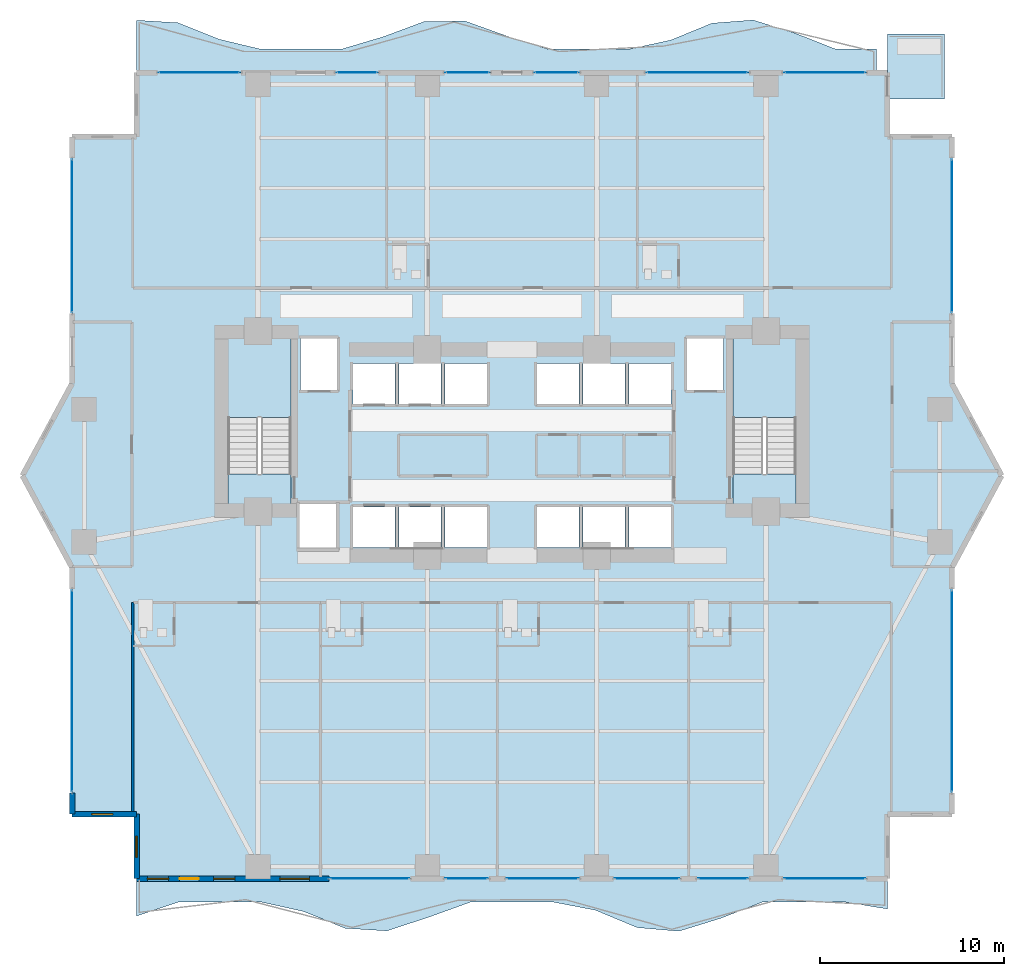
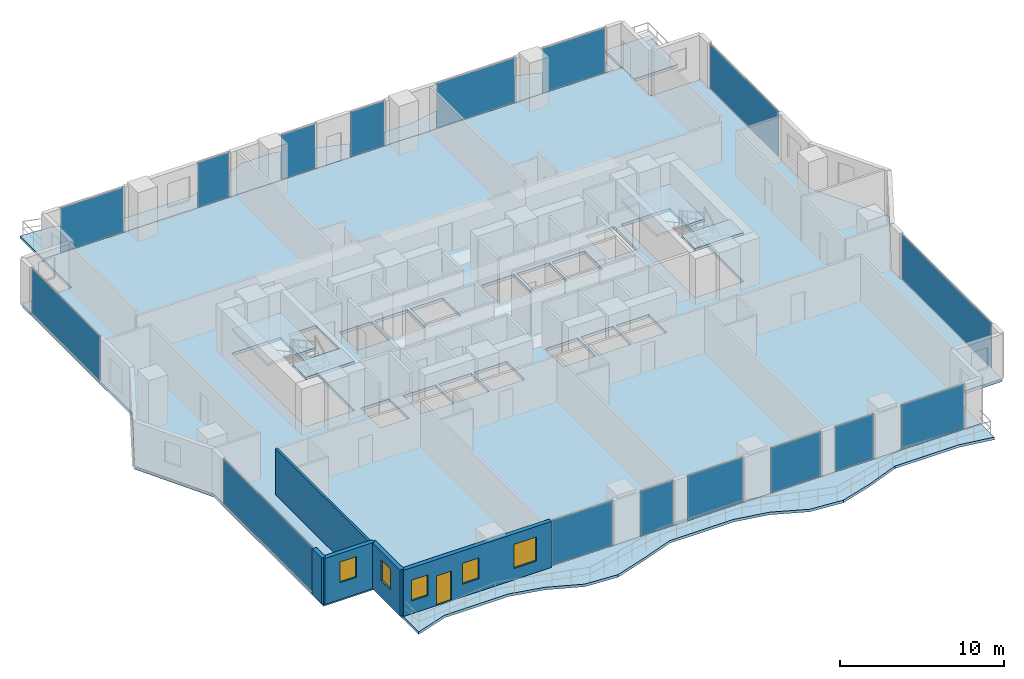
# One storey, part 20 of 28: 16 plates, 8 slabs, 5 walls, 5 windows, 1 door, 6 openings, 18 elements without a shape of their own.
"""IFC4 building model written with IfcOpenShell, lengths in metres."""

from ifc_helpers import new_model, si_unit, direction, frame, frame_2d, origin, origin_2d, place, context, subcontext, project, spatial, polyline, rectangle, outline, extrude, material, layer, layer_set, type_object, element, fill, aggregate, save


model = new_model("IFC4")

# Units and contexts
model_context = context("Model", 3, precision=1e-05, world=origin(), true_north=direction((0.0, 1.0)))
body_context = subcontext(model_context, "Body", "Model", "MODEL_VIEW")
ifc_project = project(units=[si_unit("LENGTHUNIT", "METRE"), si_unit("AREAUNIT", "SQUARE_METRE"), si_unit("VOLUMEUNIT", "CUBIC_METRE"), si_unit("PLANEANGLEUNIT", "RADIAN"), si_unit("MASSUNIT", "GRAM", prefix="KILO")], contexts=[model_context])

# Site, building, storey
site_placement = place(None, origin())
site = spatial("IfcSite", under=ifc_project, at=site_placement, CompositionType="ELEMENT")
building_placement = place(site_placement, origin())
building = spatial("IfcBuilding", under=site, at=building_placement, Name="Zuhayl Quay Hotel", CompositionType="ELEMENT")
storey_placement = place(building_placement, frame((0.0, 0.0, 143.10009765625)))
storey = spatial("IfcBuildingStorey", under=building, at=storey_placement, Name="L36", CompositionType="ELEMENT", Elevation=143.10009765625)

# Curtain wall, plate
ifc_material_1 = material(Name="Anodised Aluminium 6063-T6", Category="aluminium")
ifc_layer_1 = layer(ifc_material_1, 0.179931640625, Name="Anodised Aluminium 6063-T6", Category="aluminium")
ifc_layer_set_1 = layer_set([ifc_layer_1], Name="Anodised Aluminium 6063-T6")
curtain_wall_type = type_object("IfcCurtainWallType", Name="CW_SYS_Z2", PredefinedType="USERDEFINED", material=ifc_layer_set_1)
curtain_wall_1_placement = place(storey_placement, origin())
curtain_wall_1 = element("IfcCurtainWall", 1, at=curtain_wall_1_placement, inside=storey, type_object=curtain_wall_type, Name="L36 Curtain Wall ENV_L36_E02_CW1", ObjectType="UNITISED CURTAIN WALL", PredefinedType="USERDEFINED")
ifc_material_2 = material(Name="Dark Ceramic-Fritted Solar Glass", Category="glass")
ifc_layer_2 = layer(ifc_material_2, 0.035888671875, Name="Dark Ceramic-Fritted Solar Glass", Category="glass")
ifc_layer_set_2 = layer_set([ifc_layer_2], Name="Dark Ceramic-Fritted Solar Glass")
plate_type = type_object("IfcPlateType", Name="PN_DARK_FRIT_Z1", PredefinedType="CURTAIN_PANEL", material=ifc_layer_set_2)
plate_1_placement = place(storey_placement, frame((-23.89990234375, -5.199951171875, 0.059814453125), z_axis=(0.0, 0.0, 1.0), x_axis=(0.0, 1.0, 0.0)))
plate_1 = element("IfcPlate", 2, at=plate_1_placement, type_object=plate_type, Name="CW-Z2 panel 1.1", PredefinedType="CURTAIN_PANEL", context=body_context, shape_type="SweptSolid", body=[
    extrude(rectangle(XDim=10.969970703125, YDim=0.035888671875, at=origin_2d()), origin(), (0.0, 0.0, 1.0), 3.31005859375),
])
aggregate(curtain_wall_1, [plate_1])

curtain_wall_2_placement = place(storey_placement, origin())
curtain_wall_2 = element("IfcCurtainWall", 3, at=curtain_wall_2_placement, inside=storey, type_object=curtain_wall_type, Name="L36 Curtain Wall ENV_L36_E05_CW1", ObjectType="UNITISED CURTAIN WALL", PredefinedType="USERDEFINED")
plate_2_placement = place(storey_placement, frame((-23.89990234375, 19.52490234375, 0.059814453125), z_axis=(0.0, 0.0, 1.0), x_axis=(0.0, 1.0, 0.0)))
plate_2 = element("IfcPlate", 4, at=plate_2_placement, type_object=plate_type, Name="CW-Z2 panel 1.1", PredefinedType="CURTAIN_PANEL", context=body_context, shape_type="SweptSolid", body=[
    extrude(rectangle(XDim=8.320068359375, YDim=0.035888671875, at=origin_2d()), origin(), (0.0, 0.0, 1.0), 3.31005859375),
])
aggregate(curtain_wall_2, [plate_2])

curtain_wall_3_placement = place(storey_placement, origin())
curtain_wall_3 = element("IfcCurtainWall", 5, at=curtain_wall_3_placement, inside=storey, type_object=curtain_wall_type, Name="L36 Curtain Wall ENV_L36_N_CW1", ObjectType="UNITISED CURTAIN WALL", PredefinedType="USERDEFINED")
plate_3_placement = place(storey_placement, frame((-16.985107421875, 28.39990234375, 0.059814453125), z_axis=(0.0, 0.0, 1.0), x_axis=(1.0, 0.0, 0.0)))
plate_3 = element("IfcPlate", 6, at=plate_3_placement, type_object=plate_type, Name="CW-Z2 panel 1.1", PredefinedType="CURTAIN_PANEL", context=body_context, shape_type="SweptSolid", body=[
    extrude(rectangle(XDim=4.39990234375, YDim=0.035888671875, at=origin_2d()), origin(), (0.0, 0.0, 1.0), 3.31005859375),
])
aggregate(curtain_wall_3, [plate_3])

curtain_wall_4_placement = place(storey_placement, origin())
curtain_wall_4 = element("IfcCurtainWall", 7, at=curtain_wall_4_placement, inside=storey, type_object=curtain_wall_type, Name="L36 Curtain Wall ENV_L36_N_CW2", ObjectType="UNITISED CURTAIN WALL", PredefinedType="USERDEFINED")
plate_4_placement = place(storey_placement, frame((-8.419921875, 28.39990234375, 0.059814453125), z_axis=(0.0, 0.0, 1.0), x_axis=(1.0, 0.0, 0.0)))
plate_4 = element("IfcPlate", 8, at=plate_4_placement, type_object=plate_type, Name="CW-Z2 panel 1.1", PredefinedType="CURTAIN_PANEL", context=body_context, shape_type="SweptSolid", body=[
    extrude(rectangle(XDim=2.2099609375, YDim=0.035888671875, at=origin_2d()), origin(), (0.0, 0.0, 1.0), 3.31005859375),
])
aggregate(curtain_wall_4, [plate_4])

curtain_wall_5_placement = place(storey_placement, origin())
curtain_wall_5 = element("IfcCurtainWall", 9, at=curtain_wall_5_placement, inside=storey, type_object=curtain_wall_type, Name="L36 Curtain Wall ENV_L36_N_CW3", ObjectType="UNITISED CURTAIN WALL", PredefinedType="USERDEFINED")
plate_5_placement = place(storey_placement, frame((-2.427490234375, 28.39990234375, 0.059814453125), z_axis=(0.0, 0.0, 1.0), x_axis=(1.0, 0.0, 0.0)))
plate_5 = element("IfcPlate", 10, at=plate_5_placement, type_object=plate_type, Name="CW-Z2 panel 1.1", PredefinedType="CURTAIN_PANEL", context=body_context, shape_type="SweptSolid", body=[
    extrude(rectangle(XDim=2.375, YDim=0.035888671875, at=origin_2d()), origin(), (0.0, 0.0, 1.0), 3.31005859375),
])
aggregate(curtain_wall_5, [plate_5])

curtain_wall_6_placement = place(storey_placement, origin())
curtain_wall_6 = element("IfcCurtainWall", 11, at=curtain_wall_6_placement, inside=storey, type_object=curtain_wall_type, Name="L36 Curtain Wall ENV_L36_N_CW4", ObjectType="UNITISED CURTAIN WALL", PredefinedType="USERDEFINED")
plate_6_placement = place(storey_placement, frame((2.427490234375, 28.39990234375, 0.059814453125), z_axis=(0.0, 0.0, 1.0), x_axis=(1.0, 0.0, 0.0)))
plate_6 = element("IfcPlate", 12, at=plate_6_placement, type_object=plate_type, Name="CW-Z2 panel 1.1", PredefinedType="CURTAIN_PANEL", context=body_context, shape_type="SweptSolid", body=[
    extrude(rectangle(XDim=2.375, YDim=0.035888671875, at=origin_2d()), origin(), (0.0, 0.0, 1.0), 3.31005859375),
])
aggregate(curtain_wall_6, [plate_6])

curtain_wall_7_placement = place(storey_placement, origin())
curtain_wall_7 = element("IfcCurtainWall", 13, at=curtain_wall_7_placement, inside=storey, type_object=curtain_wall_type, Name="L36 Curtain Wall ENV_L36_N_CW5", ObjectType="UNITISED CURTAIN WALL", PredefinedType="USERDEFINED")
plate_7_placement = place(storey_placement, frame((10.06494140625, 28.39990234375, 0.059814453125), z_axis=(0.0, 0.0, 1.0), x_axis=(1.0, 0.0, 0.0)))
plate_7 = element("IfcPlate", 14, at=plate_7_placement, type_object=plate_type, Name="CW-Z2 panel 1.1", PredefinedType="CURTAIN_PANEL", context=body_context, shape_type="SweptSolid", body=[
    extrude(rectangle(XDim=5.5, YDim=0.035888671875, at=origin_2d()), origin(), (0.0, 0.0, 1.0), 3.31005859375),
])
aggregate(curtain_wall_7, [plate_7])

curtain_wall_8_placement = place(storey_placement, origin())
curtain_wall_8 = element("IfcCurtainWall", 15, at=curtain_wall_8_placement, inside=storey, type_object=curtain_wall_type, Name="L36 Curtain Wall ENV_L36_N_CW6", ObjectType="UNITISED CURTAIN WALL", PredefinedType="USERDEFINED")
plate_8_placement = place(storey_placement, frame((16.985107421875, 28.39990234375, 0.059814453125), z_axis=(0.0, 0.0, 1.0), x_axis=(1.0, 0.0, 0.0)))
plate_8 = element("IfcPlate", 16, at=plate_8_placement, type_object=plate_type, Name="CW-Z2 panel 1.1", PredefinedType="CURTAIN_PANEL", context=body_context, shape_type="SweptSolid", body=[
    extrude(rectangle(XDim=4.39990234375, YDim=0.035888671875, at=origin_2d()), origin(), (0.0, 0.0, 1.0), 3.31005859375),
])
aggregate(curtain_wall_8, [plate_8])

curtain_wall_9_placement = place(storey_placement, origin())
curtain_wall_9 = element("IfcCurtainWall", 17, at=curtain_wall_9_placement, inside=storey, type_object=curtain_wall_type, Name="L36 Curtain Wall ENV_L36_E11_CW1", ObjectType="UNITISED CURTAIN WALL", PredefinedType="USERDEFINED")
plate_9_placement = place(storey_placement, frame((23.89990234375, 19.52490234375, 0.059814453125), z_axis=(0.0, 0.0, 1.0), x_axis=(0.0, -1.0, 0.0)))
plate_9 = element("IfcPlate", 18, at=plate_9_placement, type_object=plate_type, Name="CW-Z2 panel 1.1", PredefinedType="CURTAIN_PANEL", context=body_context, shape_type="SweptSolid", body=[
    extrude(rectangle(XDim=8.320068359375, YDim=0.035888671875, at=origin_2d()), origin(), (0.0, 0.0, 1.0), 3.31005859375),
])
aggregate(curtain_wall_9, [plate_9])

curtain_wall_10_placement = place(storey_placement, origin())
curtain_wall_10 = element("IfcCurtainWall", 19, at=curtain_wall_10_placement, inside=storey, type_object=curtain_wall_type, Name="L36 Curtain Wall ENV_L36_E14_CW1", ObjectType="UNITISED CURTAIN WALL", PredefinedType="USERDEFINED")
plate_10_placement = place(storey_placement, frame((23.89990234375, -5.199951171875, 0.059814453125), z_axis=(0.0, 0.0, 1.0), x_axis=(0.0, -1.0, 0.0)))
plate_10 = element("IfcPlate", 20, at=plate_10_placement, type_object=plate_type, Name="CW-Z2 panel 1.1", PredefinedType="CURTAIN_PANEL", context=body_context, shape_type="SweptSolid", body=[
    extrude(rectangle(XDim=10.969970703125, YDim=0.035888671875, at=origin_2d()), origin(), (0.0, 0.0, 1.0), 3.31005859375),
])
aggregate(curtain_wall_10, [plate_10])

curtain_wall_11_placement = place(storey_placement, origin())
curtain_wall_11 = element("IfcCurtainWall", 21, at=curtain_wall_11_placement, inside=storey, type_object=curtain_wall_type, Name="L36 Curtain Wall ENV_L36_S_CW1", ObjectType="UNITISED CURTAIN WALL", PredefinedType="USERDEFINED")
plate_11_placement = place(storey_placement, frame((16.985107421875, -15.39990234375, 0.059814453125), z_axis=(0.0, 0.0, 1.0), x_axis=(-1.0, 0.0, 0.0)))
plate_11 = element("IfcPlate", 22, at=plate_11_placement, type_object=plate_type, Name="CW-Z2 panel 1.1", PredefinedType="CURTAIN_PANEL", context=body_context, shape_type="SweptSolid", body=[
    extrude(rectangle(XDim=4.39990234375, YDim=0.035888671875, at=origin_2d()), origin(), (0.0, 0.0, 1.0), 3.31005859375),
])
aggregate(curtain_wall_11, [plate_11])

curtain_wall_12_placement = place(storey_placement, origin())
curtain_wall_12 = element("IfcCurtainWall", 23, at=curtain_wall_12_placement, inside=storey, type_object=curtain_wall_type, Name="L36 Curtain Wall ENV_L36_S_CW2", ObjectType="UNITISED CURTAIN WALL", PredefinedType="USERDEFINED")
plate_12_placement = place(storey_placement, frame((11.465087890625, -15.39990234375, 0.059814453125), z_axis=(0.0, 0.0, 1.0), x_axis=(-1.0, 0.0, 0.0)))
plate_12 = element("IfcPlate", 24, at=plate_12_placement, type_object=plate_type, Name="CW-Z2 panel 1.1", PredefinedType="CURTAIN_PANEL", context=body_context, shape_type="SweptSolid", body=[
    extrude(rectangle(XDim=2.699951171875, YDim=0.035888671875, at=origin_2d()), origin(), (0.0, 0.0, 1.0), 3.31005859375),
])
aggregate(curtain_wall_12, [plate_12])

curtain_wall_13_placement = place(storey_placement, origin())
curtain_wall_13 = element("IfcCurtainWall", 25, at=curtain_wall_13_placement, inside=storey, type_object=curtain_wall_type, Name="L36 Curtain Wall ENV_L36_S_CW3", ObjectType="UNITISED CURTAIN WALL", PredefinedType="USERDEFINED")
plate_13_placement = place(storey_placement, frame((7.3349609375, -15.39990234375, 0.059814453125), z_axis=(0.0, 0.0, 1.0), x_axis=(-1.0, 0.0, 0.0)))
plate_13 = element("IfcPlate", 26, at=plate_13_placement, type_object=plate_type, Name="CW-Z2 panel 1.1", PredefinedType="CURTAIN_PANEL", context=body_context, shape_type="SweptSolid", body=[
    extrude(rectangle(XDim=3.5, YDim=0.035888671875, at=origin_2d()), origin(), (0.0, 0.0, 1.0), 3.31005859375),
])
aggregate(curtain_wall_13, [plate_13])

curtain_wall_14_placement = place(storey_placement, origin())
curtain_wall_14 = element("IfcCurtainWall", 27, at=curtain_wall_14_placement, inside=storey, type_object=curtain_wall_type, Name="L36 Curtain Wall ENV_L36_S_CW4", ObjectType="UNITISED CURTAIN WALL", PredefinedType="USERDEFINED")
plate_14_placement = place(storey_placement, frame((1.6650390625, -15.39990234375, 0.059814453125), z_axis=(0.0, 0.0, 1.0), x_axis=(-1.0, 0.0, 0.0)))
plate_14 = element("IfcPlate", 28, at=plate_14_placement, type_object=plate_type, Name="CW-Z2 panel 1.1", PredefinedType="CURTAIN_PANEL", context=body_context, shape_type="SweptSolid", body=[
    extrude(rectangle(XDim=3.89990234375, YDim=0.035888671875, at=origin_2d()), origin(), (0.0, 0.0, 1.0), 3.31005859375),
])
aggregate(curtain_wall_14, [plate_14])

curtain_wall_15_placement = place(storey_placement, origin())
curtain_wall_15 = element("IfcCurtainWall", 29, at=curtain_wall_15_placement, inside=storey, type_object=curtain_wall_type, Name="L36 Curtain Wall ENV_L36_S_CW5", ObjectType="UNITISED CURTAIN WALL", PredefinedType="USERDEFINED")
plate_15_placement = place(storey_placement, frame((-2.465087890625, -15.39990234375, 0.059814453125), z_axis=(0.0, 0.0, 1.0), x_axis=(-1.0, 0.0, 0.0)))
plate_15 = element("IfcPlate", 30, at=plate_15_placement, type_object=plate_type, Name="CW-Z2 panel 1.1", PredefinedType="CURTAIN_PANEL", context=body_context, shape_type="SweptSolid", body=[
    extrude(rectangle(XDim=2.300048828125, YDim=0.035888671875, at=origin_2d()), origin(), (0.0, 0.0, 1.0), 3.31005859375),
])
aggregate(curtain_wall_15, [plate_15])

curtain_wall_16_placement = place(storey_placement, origin())
curtain_wall_16 = element("IfcCurtainWall", 31, at=curtain_wall_16_placement, inside=storey, type_object=curtain_wall_type, Name="L36 Curtain Wall ENV_L36_S_CW6", ObjectType="UNITISED CURTAIN WALL", PredefinedType="USERDEFINED")
plate_16_placement = place(storey_placement, frame((-7.735107421875, -15.39990234375, 0.059814453125), z_axis=(0.0, 0.0, 1.0), x_axis=(-1.0, 0.0, 0.0)))
plate_16 = element("IfcPlate", 32, at=plate_16_placement, type_object=plate_type, Name="CW-Z2 panel 1.1", PredefinedType="CURTAIN_PANEL", context=body_context, shape_type="SweptSolid", body=[
    extrude(rectangle(XDim=4.300048828125, YDim=0.035888671875, at=origin_2d()), origin(), (0.0, 0.0, 1.0), 3.31005859375),
])
aggregate(curtain_wall_16, [plate_16])

# Slabs
ifc_material_3 = material(Name="Concrete C45/55", Category="concrete")
ifc_layer_3 = layer(ifc_material_3, 0.195068359375, Name="Concrete C45/55", Category="concrete")
ifc_layer_set_3 = layer_set([ifc_layer_3], Name="Concrete C45/55")
slab_type_1 = type_object("IfcSlabType", Name="SL_BALCONY_195", PredefinedType="FLOOR", material=ifc_layer_set_3)
slab_1_placement = place(storey_placement, frame((0.0, 0.0, -0.195068359375)))
element("IfcSlab", 33, at=slab_1_placement, inside=storey, type_object=slab_type_1, Name="L36 Exterior Rippling Balcony Slab North", PredefinedType="FLOOR", context=body_context, shape_type="SweptSolid", body=[
    extrude(outline(polyline([(-20.39990234375, 28.39990234375), (19.800048828125, 28.39990234375), (19.800048828125, 29.679931640625), (17.566650390625, 29.679931640625), (15.333251953125, 30.558349609375), (13.10009765625, 31.253173828125), (10.86669921875, 31.080078125), (8.63330078125, 30.164306640625), (6.39990234375, 29.679931640625), (4.166748046875, 29.679931640625), (1.933349609375, 29.679931640625), (-0.300048828125, 30.389404296875), (-2.533203125, 31.19189453125), (-4.7666015625, 31.171142578125), (-7.0, 30.341796875), (-9.2333984375, 29.679931640625), (-11.466796875, 29.679931640625), (-13.699951171875, 29.679931640625), (-15.933349609375, 30.213134765625), (-18.166748046875, 31.107177734375), (-20.39990234375, 31.23876953125), (-20.39990234375, 28.39990234375)])), origin(), (0.0, 0.0, 1.0), 0.195068359375),
])
slab_2_placement = place(storey_placement, frame((0.0, 0.0, -0.195068359375)))
element("IfcSlab", 34, at=slab_2_placement, inside=storey, type_object=slab_type_1, Name="L36 Exterior Rippling Balcony Slab South", PredefinedType="FLOOR", context=body_context, shape_type="SweptSolid", body=[
    extrude(outline(polyline([(-20.39990234375, -17.436279296875), (-18.13330078125, -16.679931640625), (-15.86669921875, -16.679931640625), (-13.60009765625, -16.679931640625), (-11.333251953125, -17.1806640625), (-9.066650390625, -18.098388671875), (-6.800048828125, -18.23876953125), (-4.533203125, -17.498046875), (-2.2666015625, -16.679931640625), (0.0, -16.679931640625), (2.2666015625, -16.679931640625), (4.533203125, -17.115478515625), (6.800048828125, -18.061279296875), (9.066650390625, -18.25732421875), (11.333251953125, -17.558349609375), (13.60009765625, -16.679931640625), (15.86669921875, -16.679931640625), (18.13330078125, -16.679931640625), (20.39990234375, -17.050048828125), (20.39990234375, -15.39990234375), (-20.39990234375, -15.39990234375), (-20.39990234375, -17.436279296875)])), origin(), (0.0, 0.0, 1.0), 0.195068359375),
])
ifc_layer_4 = layer(ifc_material_3, 0.219970703125, Name="Concrete C45/55", Category="concrete")
ifc_layer_set_4 = layer_set([ifc_layer_4], Name="Concrete C45/55")
slab_type_2 = type_object("IfcSlabType", Name="SL_FLOOR_220", PredefinedType="FLOOR", material=ifc_layer_set_4)
slab_3_placement = place(storey_placement, frame((0.0, 0.0, -0.22021484375)))
element("IfcSlab", 35, at=slab_3_placement, inside=storey, type_object=slab_type_2, Name="L36 Structural Floor Slab", PredefinedType="FLOOR", context=body_context, shape_type="SweptSolid", body=[
    extrude(outline(polyline([(-20.39990234375, -15.39990234375), (20.39990234375, -15.39990234375), (20.39990234375, -11.89990234375), (23.89990234375, -11.89990234375), (23.89990234375, 1.5), (26.60009765625, 6.5), (23.89990234375, 11.5), (23.89990234375, 24.89990234375), (20.39990234375, 24.89990234375), (20.39990234375, 28.39990234375), (-20.39990234375, 28.39990234375), (-20.39990234375, 24.89990234375), (-23.89990234375, 24.89990234375), (-23.89990234375, 11.5), (-26.60009765625, 6.5), (-23.89990234375, 1.5), (-23.89990234375, -11.89990234375), (-20.39990234375, -11.89990234375), (-20.39990234375, -15.39990234375)]), holes=[polyline([(-12.0, 4.949951171875), (-12.0, 13.949951171875), (-15.429931640625, 13.949951171875), (-15.429931640625, 4.949951171875), (-12.0, 4.949951171875)]), polyline([(15.429931640625, 4.949951171875), (15.429931640625, 13.949951171875), (12.0, 13.949951171875), (12.0, 4.949951171875), (15.429931640625, 4.949951171875)]), polyline([(-11.5, 11.14990234375), (-9.5, 11.14990234375), (-9.5, 13.949951171875), (-11.5, 13.949951171875), (-11.5, 11.14990234375)]), polyline([(9.5, 11.14990234375), (11.5, 11.14990234375), (11.5, 13.949951171875), (9.5, 13.949951171875), (9.5, 11.14990234375)]), polyline([(-8.64990234375, 2.60009765625), (-6.35009765625, 2.60009765625), (-6.35009765625, 4.800048828125), (-8.64990234375, 4.800048828125), (-8.64990234375, 2.60009765625)]), polyline([(-6.14990234375, 2.60009765625), (-3.85009765625, 2.60009765625), (-3.85009765625, 4.800048828125), (-6.14990234375, 4.800048828125), (-6.14990234375, 2.60009765625)]), polyline([(-8.64990234375, 10.39990234375), (-6.35009765625, 10.39990234375), (-6.35009765625, 12.60009765625), (-8.64990234375, 12.60009765625), (-8.64990234375, 10.39990234375)]), polyline([(-6.14990234375, 10.39990234375), (-3.85009765625, 10.39990234375), (-3.85009765625, 12.60009765625), (-6.14990234375, 12.60009765625), (-6.14990234375, 10.39990234375)]), polyline([(-3.64990234375, 2.60009765625), (-1.35009765625, 2.60009765625), (-1.35009765625, 4.800048828125), (-3.64990234375, 4.800048828125), (-3.64990234375, 2.60009765625)]), polyline([(1.35009765625, 2.60009765625), (3.64990234375, 2.60009765625), (3.64990234375, 4.800048828125), (1.35009765625, 4.800048828125), (1.35009765625, 2.60009765625)]), polyline([(-3.64990234375, 10.39990234375), (-1.35009765625, 10.39990234375), (-1.35009765625, 12.60009765625), (-3.64990234375, 12.60009765625), (-3.64990234375, 10.39990234375)]), polyline([(1.35009765625, 10.39990234375), (3.64990234375, 10.39990234375), (3.64990234375, 12.60009765625), (1.35009765625, 12.60009765625), (1.35009765625, 10.39990234375)]), polyline([(3.85009765625, 2.60009765625), (6.14990234375, 2.60009765625), (6.14990234375, 4.800048828125), (3.85009765625, 4.800048828125), (3.85009765625, 2.60009765625)]), polyline([(6.35009765625, 2.60009765625), (8.64990234375, 2.60009765625), (8.64990234375, 4.800048828125), (6.35009765625, 4.800048828125), (6.35009765625, 2.60009765625)]), polyline([(3.85009765625, 10.39990234375), (6.14990234375, 10.39990234375), (6.14990234375, 12.60009765625), (3.85009765625, 12.60009765625), (3.85009765625, 10.39990234375)]), polyline([(6.35009765625, 10.39990234375), (8.64990234375, 10.39990234375), (8.64990234375, 12.60009765625), (6.35009765625, 12.60009765625), (6.35009765625, 10.39990234375)]), polyline([(-11.550048828125, 2.550048828125), (-9.550048828125, 2.550048828125), (-9.550048828125, 4.949951171875), (-11.550048828125, 4.949951171875), (-11.550048828125, 2.550048828125)])]), origin(), (0.0, 0.0, 1.0), 0.22021484375),
])

# Stair, slabs
stair_type = type_object("IfcStairType", Name="ST_DOGLEG_TOWER", PredefinedType="HALF_TURN_STAIR", material=ifc_material_3)
stair_1_placement = place(storey_placement, origin())
stair_1 = element("IfcStair", 36, at=stair_1_placement, inside=storey, type_object=stair_type, Name="L36 Smokeproof Exit Stair ST1", PredefinedType="HALF_TURN_STAIR")
ifc_layer_5 = layer(ifc_material_3, 0.199951171875, Name="Concrete C45/55", Category="concrete")
ifc_layer_set_5 = layer_set([ifc_layer_5], Name="Concrete C45/55")
slab_type_3 = type_object("IfcSlabType", Name="SL_STAIR_LANDING_200", PredefinedType="LANDING", material=ifc_layer_set_5)
slab_4_placement = place(storey_placement, frame((0.0, 0.0, 1.625)))
slab_4 = element("IfcSlab", 37, at=slab_4_placement, type_object=slab_type_3, Name="ST1 landing 1", PredefinedType="LANDING", context=body_context, shape_type="SweptSolid", body=[
    extrude(outline(polyline([(-12.0, 9.64990234375), (-12.0, 13.949951171875), (-15.429931640625, 13.949951171875), (-15.429931640625, 9.64990234375), (-12.0, 9.64990234375)])), origin(), (0.0, 0.0, 1.0), 0.199951171875),
])
slab_5_placement = place(storey_placement, frame((0.0, 0.0, 3.449951171875)))
slab_5 = element("IfcSlab", 38, at=slab_5_placement, type_object=slab_type_3, Name="ST1 landing 2", PredefinedType="LANDING", context=body_context, shape_type="SweptSolid", body=[
    extrude(outline(polyline([(-12.0, 4.949951171875), (-12.0, 6.590087890625), (-15.429931640625, 6.590087890625), (-15.429931640625, 4.949951171875), (-12.0, 4.949951171875)])), origin(), (0.0, 0.0, 1.0), 0.199951171875),
])
aggregate(stair_1, [slab_4, slab_5])

stair_2_placement = place(storey_placement, origin())
stair_2 = element("IfcStair", 39, at=stair_2_placement, inside=storey, type_object=stair_type, Name="L36 Smokeproof Exit Stair ST2", PredefinedType="HALF_TURN_STAIR")
slab_6_placement = place(storey_placement, frame((0.0, 0.0, 1.625)))
slab_6 = element("IfcSlab", 40, at=slab_6_placement, type_object=slab_type_3, Name="ST2 landing 1", PredefinedType="LANDING", context=body_context, shape_type="SweptSolid", body=[
    extrude(outline(polyline([(15.429931640625, 9.64990234375), (15.429931640625, 13.949951171875), (12.0, 13.949951171875), (12.0, 9.64990234375), (15.429931640625, 9.64990234375)])), origin(), (0.0, 0.0, 1.0), 0.199951171875),
])
slab_7_placement = place(storey_placement, frame((0.0, 0.0, 3.449951171875)))
slab_7 = element("IfcSlab", 41, at=slab_7_placement, type_object=slab_type_3, Name="ST2 landing 2", PredefinedType="LANDING", context=body_context, shape_type="SweptSolid", body=[
    extrude(outline(polyline([(15.429931640625, 4.949951171875), (15.429931640625, 6.590087890625), (12.0, 6.590087890625), (12.0, 4.949951171875), (15.429931640625, 4.949951171875)])), origin(), (0.0, 0.0, 1.0), 0.199951171875),
])
aggregate(stair_2, [slab_6, slab_7])

# Slab
ifc_layer_6 = layer(ifc_material_3, 0.219970703125, Name="Concrete C45/55", Category="concrete")
ifc_layer_set_6 = layer_set([ifc_layer_6], Name="Concrete C45/55")
slab_type_4 = type_object("IfcSlabType", Name="SL_TERRACE_235", PredefinedType="FLOOR", material=ifc_layer_set_6)
slab_8_placement = place(storey_placement, frame((0.0, 0.0, -0.22021484375)))
element("IfcSlab", 42, at=slab_8_placement, inside=storey, type_object=slab_type_4, Name="L36 Exterior Sky-Terrace Slab L36_SPIRAL_NE", PredefinedType="FLOOR", context=body_context, shape_type="SweptSolid", body=[
    extrude(outline(polyline([(20.39990234375, 26.949951171875), (23.5, 26.949951171875), (23.5, 30.5), (20.39990234375, 30.5), (20.39990234375, 26.949951171875)])), origin(), (0.0, 0.0, 1.0), 0.22021484375),
])

# Wall, opening, window
ifc_material_4 = material(Name="Precast concrete C45/55", Category="concrete")
ifc_layer_7 = layer(ifc_material_4, 0.300048828125, Name="Precast concrete C45/55", Category="concrete")
ifc_layer_set_7 = layer_set([ifc_layer_7], Name="Precast concrete C45/55")
wall_type_1 = type_object("IfcWallType", Name="WL_EXT_300", PredefinedType="STANDARD", material=ifc_layer_set_7)
wall_1_placement = place(storey_placement, frame((-20.39990234375, -11.89990234375, 0.0), z_axis=(0.0, 0.0, 1.0), x_axis=(-1.0, 0.0, 0.0)))
wall_1 = element("IfcWall", 43, at=wall_1_placement, inside=storey, type_object=wall_type_1, Name="L36 Exterior Precast Wall ENV_L36_EW01", PredefinedType="STANDARD", context=body_context, shape_type="SweptSolid", body=[
    extrude(rectangle(XDim=3.5, YDim=0.300048828125, at=frame_2d((1.75, 0.0))), origin(), (0.0, 0.0, 1.0), 3.429931640625),
])
opening_1_placement = place(wall_1_placement, frame((1.284912109375, 0.0, 1.25)))
opening_1 = element("IfcOpeningElement", 44, at=opening_1_placement, cuts=wall_1, Name="Opening W01N", PredefinedType="OPENING", context=body_context, shape_type="SweptSolid", body=[
    extrude(rectangle(XDim=1.14990234375, YDim=1.550048828125, at=frame_2d((0.574951171875, 0.77490234375))), frame((0.0, 0.159912109375, 0.0), z_axis=(0.0, -1.0, 0.0), x_axis=(1.0, 0.0, 0.0)), (0.0, 0.0, 1.0), 0.320068359375),
])
window_type_1 = type_object("IfcWindowType", Name="WN_NOTCH_1350", PartitioningType="SINGLE_PANEL", PredefinedType="WINDOW", material=ifc_material_2)
window_1_placement = place(opening_1_placement, origin())
window_1 = element("IfcWindow", 45, at=window_1_placement, inside=storey, type_object=window_type_1, Name="L36 Corner Notch Window 1", OverallHeight=1.550048828125, OverallWidth=1.14990234375, PartitioningType="SINGLE_PANEL", PredefinedType="WINDOW", context=body_context, shape_type="SweptSolid", body=[
    extrude(rectangle(XDim=1.14990234375, YDim=1.550048828125, at=frame_2d((0.574951171875, 0.77490234375))), frame((0.0, 0.030029296875, 0.0), z_axis=(0.0, -1.0, 0.0), x_axis=(1.0, 0.0, 0.0)), (0.0, 0.0, 1.0), 0.06005859375),
])
fill(opening_1, window_1)

# Wall
wall_2_placement = place(storey_placement, frame((-23.89990234375, -11.89990234375, 0.0), z_axis=(0.0, 0.0, 1.0), x_axis=(0.0, 1.0, 0.0)))
element("IfcWall", 46, at=wall_2_placement, inside=storey, type_object=wall_type_1, Name="L36 Exterior Precast Wall ENV_L36_E02_EW1", PredefinedType="STANDARD", context=body_context, shape_type="SweptSolid", body=[
    extrude(rectangle(XDim=1.14990234375, YDim=0.300048828125, at=frame_2d((0.574951171875, 0.0))), origin(), (0.0, 0.0, 1.0), 3.429931640625),
])

# Wall, openings, door, windows
wall_3_placement = place(storey_placement, frame((-9.949951171875, -15.39990234375, 0.0), z_axis=(0.0, 0.0, 1.0), x_axis=(-1.0, 0.0, 0.0)))
wall_3 = element("IfcWall", 47, at=wall_3_placement, inside=storey, type_object=wall_type_1, Name="L36 Exterior Precast Wall ENV_L36_S_EW7", PredefinedType="STANDARD", context=body_context, shape_type="SweptSolid", body=[
    extrude(rectangle(XDim=10.449951171875, YDim=0.300048828125, at=frame_2d((5.22509765625, 0.0))), origin(), (0.0, 0.0, 1.0), 3.429931640625),
])
opening_2_placement = place(wall_3_placement, frame((7.06494140625, 0.0, 0.0)))
opening_2 = element("IfcOpeningElement", 48, at=opening_2_placement, cuts=wall_3, Name="Opening DG1", PredefinedType="OPENING", context=body_context, shape_type="SweptSolid", body=[
    extrude(rectangle(XDim=1.050048828125, YDim=2.199951171875, at=frame_2d((0.52490234375, 1.10009765625))), frame((0.0, 0.159912109375, 0.0), z_axis=(0.0, -1.0, 0.0), x_axis=(1.0, 0.0, 0.0)), (0.0, 0.0, 1.0), 0.320068359375),
])
opening_3_placement = place(wall_3_placement, frame((1.06005859375, 0.0, 0.85009765625)))
opening_3 = element("IfcOpeningElement", 49, at=opening_3_placement, cuts=wall_3, Name="Opening W01", PredefinedType="OPENING", context=body_context, shape_type="SweptSolid", body=[
    extrude(rectangle(XDim=1.60009765625, YDim=1.800048828125, at=frame_2d((0.800048828125, 0.89990234375))), frame((0.0, 0.159912109375, 0.0), z_axis=(0.0, -1.0, 0.0), x_axis=(1.0, 0.0, 0.0)), (0.0, 0.0, 1.0), 0.320068359375),
])
opening_4_placement = place(wall_3_placement, frame((5.107421875, 0.0, 0.949951171875)))
opening_4 = element("IfcOpeningElement", 50, at=opening_4_placement, cuts=wall_3, Name="Opening W01N", PredefinedType="OPENING", context=body_context, shape_type="SweptSolid", body=[
    extrude(rectangle(XDim=1.14990234375, YDim=1.550048828125, at=frame_2d((0.574951171875, 0.77490234375))), frame((0.0, 0.159912109375, 0.0), z_axis=(0.0, -1.0, 0.0), x_axis=(1.0, 0.0, 0.0)), (0.0, 0.0, 1.0), 0.320068359375),
])
opening_5_placement = place(wall_3_placement, frame((8.71240234375, 0.0, 0.949951171875)))
opening_5 = element("IfcOpeningElement", 51, at=opening_5_placement, cuts=wall_3, Name="Opening W01N", PredefinedType="OPENING", context=body_context, shape_type="SweptSolid", body=[
    extrude(rectangle(XDim=1.14990234375, YDim=1.550048828125, at=frame_2d((0.574951171875, 0.77490234375))), frame((0.0, 0.159912109375, 0.0), z_axis=(0.0, -1.0, 0.0), x_axis=(1.0, 0.0, 0.0)), (0.0, 0.0, 1.0), 0.320068359375),
])
ifc_material_5 = material(Name="Anodised Aluminium and Dark Solar Glass", Category="aluminium")
door_type = type_object("IfcDoorType", Name="DR_EXT_TERR_1050", OperationType="NOTDEFINED", PredefinedType="DOOR", material=ifc_material_5)
door_placement = place(opening_2_placement, origin())
door = element("IfcDoor", 52, at=door_placement, inside=storey, type_object=door_type, Name="L36 South Rippling Balcony Door", OperationType="SINGLE_SWING_RIGHT", OverallHeight=2.199951171875, OverallWidth=1.050048828125, PredefinedType="DOOR", context=body_context, shape_type="SweptSolid", body=[
    extrude(rectangle(XDim=1.050048828125, YDim=2.199951171875, at=frame_2d((0.52490234375, 1.10009765625))), frame((0.0, 0.02490234375, 0.0), z_axis=(0.0, -1.0, 0.0), x_axis=(1.0, 0.0, 0.0)), (0.0, 0.0, 1.0), 0.050048828125),
])
fill(opening_2, door)
window_2_placement = place(opening_4_placement, origin())
window_2 = element("IfcWindow", 53, at=window_2_placement, inside=storey, type_object=window_type_1, Name="L36 Operable Facade Window 7-2", OverallHeight=1.550048828125, OverallWidth=1.14990234375, PartitioningType="SINGLE_PANEL", PredefinedType="WINDOW", context=body_context, shape_type="SweptSolid", body=[
    extrude(rectangle(XDim=1.14990234375, YDim=1.550048828125, at=frame_2d((0.574951171875, 0.77490234375))), frame((0.0, 0.030029296875, 0.0), z_axis=(0.0, -1.0, 0.0), x_axis=(1.0, 0.0, 0.0)), (0.0, 0.0, 1.0), 0.06005859375),
])
fill(opening_4, window_2)
window_3_placement = place(opening_5_placement, origin())
window_3 = element("IfcWindow", 54, at=window_3_placement, inside=storey, type_object=window_type_1, Name="L36 Operable Facade Window 7-3", OverallHeight=1.550048828125, OverallWidth=1.14990234375, PartitioningType="SINGLE_PANEL", PredefinedType="WINDOW", context=body_context, shape_type="SweptSolid", body=[
    extrude(rectangle(XDim=1.14990234375, YDim=1.550048828125, at=frame_2d((0.574951171875, 0.77490234375))), frame((0.0, 0.030029296875, 0.0), z_axis=(0.0, -1.0, 0.0), x_axis=(1.0, 0.0, 0.0)), (0.0, 0.0, 1.0), 0.06005859375),
])
fill(opening_5, window_3)
window_type_2 = type_object("IfcWindowType", Name="WN_OPERABLE_1600", PartitioningType="DOUBLE_PANEL_VERTICAL", PredefinedType="WINDOW", material=ifc_material_2)
window_4_placement = place(opening_3_placement, origin())
window_4 = element("IfcWindow", 55, at=window_4_placement, inside=storey, type_object=window_type_2, Name="L36 Operable Facade Window 7-1", OverallHeight=1.800048828125, OverallWidth=1.60009765625, PartitioningType="SINGLE_PANEL", PredefinedType="WINDOW", context=body_context, shape_type="SweptSolid", body=[
    extrude(rectangle(XDim=1.60009765625, YDim=1.800048828125, at=frame_2d((0.800048828125, 0.89990234375))), frame((0.0, 0.030029296875, 0.0), z_axis=(0.0, -1.0, 0.0), x_axis=(1.0, 0.0, 0.0)), (0.0, 0.0, 1.0), 0.06005859375),
])
fill(opening_3, window_4)

# Wall, opening, window
wall_4_placement = place(storey_placement, frame((-20.39990234375, -15.39990234375, 0.0), z_axis=(0.0, 0.0, 1.0), x_axis=(0.0, 1.0, 0.0)))
wall_4 = element("IfcWall", 56, at=wall_4_placement, inside=storey, type_object=wall_type_1, Name="L36 Exterior Precast Wall ENV_L36_EW18", PredefinedType="STANDARD", context=body_context, shape_type="SweptSolid", body=[
    extrude(rectangle(XDim=3.5, YDim=0.300048828125, at=frame_2d((1.75, 0.0))), origin(), (0.0, 0.0, 1.0), 3.429931640625),
])
opening_6_placement = place(wall_4_placement, frame((1.1650390625, 0.0, 1.25)))
opening_6 = element("IfcOpeningElement", 57, at=opening_6_placement, cuts=wall_4, Name="Opening W01N", PredefinedType="OPENING", context=body_context, shape_type="SweptSolid", body=[
    extrude(rectangle(XDim=1.14990234375, YDim=1.550048828125, at=frame_2d((0.574951171875, 0.77490234375))), frame((0.0, 0.159912109375, 0.0), z_axis=(0.0, -1.0, 0.0), x_axis=(1.0, 0.0, 0.0)), (0.0, 0.0, 1.0), 0.320068359375),
])
window_5_placement = place(opening_6_placement, origin())
window_5 = element("IfcWindow", 58, at=window_5_placement, inside=storey, type_object=window_type_1, Name="L36 Corner Notch Window 18", OverallHeight=1.550048828125, OverallWidth=1.14990234375, PartitioningType="SINGLE_PANEL", PredefinedType="WINDOW", context=body_context, shape_type="SweptSolid", body=[
    extrude(rectangle(XDim=1.14990234375, YDim=1.550048828125, at=frame_2d((0.574951171875, 0.77490234375))), frame((0.0, 0.030029296875, 0.0), z_axis=(0.0, -1.0, 0.0), x_axis=(1.0, 0.0, 0.0)), (0.0, 0.0, 1.0), 0.06005859375),
])
fill(opening_6, window_5)

# Wall
ifc_material_6 = material(Name="Acoustic Gypsum Partition STC-58")
ifc_layer_8 = layer(ifc_material_6, 0.14990234375, Name="Acoustic Gypsum Partition STC-58")
ifc_layer_set_8 = layer_set([ifc_layer_8], Name="Acoustic Gypsum Partition STC-58")
wall_type_2 = type_object("IfcWallType", Name="WL_PART_150", PredefinedType="PARTITIONING", material=ifc_layer_set_8)
wall_5_placement = place(storey_placement, frame((-20.60009765625, -11.89990234375, 0.0), z_axis=(0.0, 0.0, 1.0), x_axis=(0.0, 1.0, 0.0)))
element("IfcWall", 59, at=wall_5_placement, inside=storey, type_object=wall_type_2, Name="L36 Partition IW_L36_SU01_W", PredefinedType="PARTITIONING", context=body_context, shape_type="SweptSolid", body=[
    extrude(rectangle(XDim=11.5, YDim=0.14990234375, at=frame_2d((5.75, 0.0))), origin(), (0.0, 0.0, 1.0), 3.429931640625),
])

save(model, "model.ifc")
